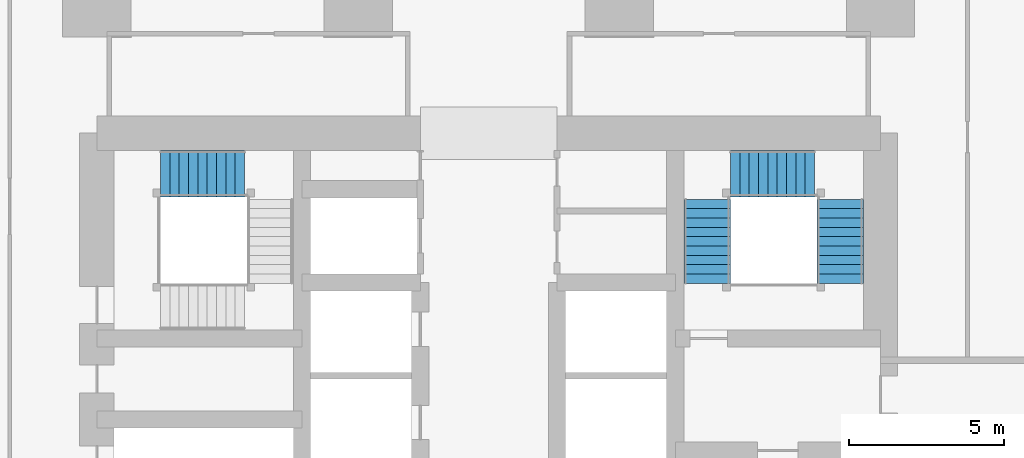
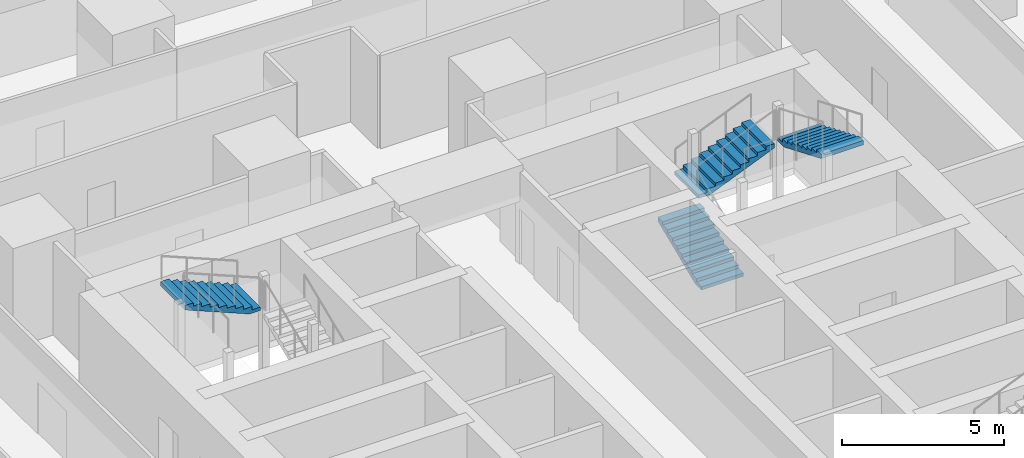
# One storey, part 33 of 42: 4 stair flights, 2 elements without a shape of their own.
"""IFC4 building model written with IfcOpenShell, lengths in metres."""

from ifc_helpers import new_model, si_unit, direction, frame, origin, place, context, subcontext, project, spatial, polyline, outline, extrude, material, type_object, element, aggregate, save


model = new_model("IFC4")

# Units and contexts
model_context = context("Model", 3, precision=1e-05, world=origin(), true_north=direction((0.0, 1.0)))
body_context = subcontext(model_context, "Body", "Model", "MODEL_VIEW")
ifc_project = project(units=[si_unit("LENGTHUNIT", "METRE"), si_unit("AREAUNIT", "SQUARE_METRE"), si_unit("VOLUMEUNIT", "CUBIC_METRE"), si_unit("PLANEANGLEUNIT", "RADIAN"), si_unit("MASSUNIT", "GRAM", prefix="KILO")], contexts=[model_context])

# Site, building, storey
site_placement = place(None, origin())
site = spatial("IfcSite", under=ifc_project, at=site_placement, CompositionType="ELEMENT")
building_placement = place(site_placement, origin())
building = spatial("IfcBuilding", under=site, at=building_placement, Name="Rekha Terrace Tower", CompositionType="ELEMENT")
storey_placement = place(building_placement, frame((0.0, 0.0, 70.39990234375)))
storey = spatial("IfcBuildingStorey", under=building, at=storey_placement, Name="L17", CompositionType="ELEMENT", Elevation=70.39990234375)

# Stair, stair flights
ifc_material = material(Name="Concrete M40", Category="concrete")
stair_type = type_object("IfcStairType", Name="ST30 stair, 30 risers of 125, going 300, 1500 wide flights, 3 flights", PredefinedType="HALF_TURN_STAIR", material=ifc_material)
stair_1_placement = place(storey_placement, origin())
stair_1 = element("IfcStair", 1, at=stair_1_placement, inside=storey, type_object=stair_type, Name="Stair ST2 L17 to L18", PredefinedType="HALF_TURN_STAIR")
stair_flight_type = type_object("IfcStairFlightType", Name="SF10 stair flight, 10 risers of 125, going 300, 1500 wide", PredefinedType="STRAIGHT", material=ifc_material)
stair_flight_1_placement = place(storey_placement, frame((44.824951171875, 41.375, 0.0), z_axis=(0.0, 0.0, 1.0), x_axis=(0.0, 1.0, 0.0)))
stair_flight_1 = element("IfcStairFlight", 2, at=stair_flight_1_placement, type_object=stair_flight_type, Name="ST2 flight 1", NumberOfRisers=10, NumberOfTreads=9, PredefinedType="STRAIGHT", RiserHeight=0.125, TreadLength=0.3, context=body_context, shape_type="SweptSolid", body=[
    extrude(outline(polyline([(0.0, 0.0), (0.0, 0.125), (0.300048828125, 0.125), (0.300048828125, 0.25), (0.60009765625, 0.25), (0.60009765625, 0.375), (0.89990234375, 0.375), (0.89990234375, 0.5), (1.199951171875, 0.5), (1.199951171875, 0.625), (1.5, 0.625), (1.5, 0.75), (1.800048828125, 0.75), (1.800048828125, 0.875), (2.10009765625, 0.875), (2.10009765625, 1.0), (2.39990234375, 1.0), (2.39990234375, 1.125), (2.699951171875, 1.125), (2.699951171875, 1.25), (2.699951171875, 0.962646484375), (0.3896484375, 0.0), (0.0, 0.0)])), frame((0.0, 0.75, 0.0), z_axis=(0.0, -1.0, 0.0), x_axis=(1.0, 0.0, 0.0)), (0.0, 0.0, 1.0), 1.5),
])
stair_flight_2_placement = place(storey_placement, frame((45.574951171875, 44.89990234375, 1.25), z_axis=(0.0, 0.0, 1.0), x_axis=(1.0, 0.0, 0.0)))
stair_flight_2 = element("IfcStairFlight", 3, at=stair_flight_2_placement, type_object=stair_flight_type, Name="ST2 flight 2", NumberOfRisers=10, NumberOfTreads=9, PredefinedType="STRAIGHT", RiserHeight=0.125, TreadLength=0.3, context=body_context, shape_type="SweptSolid", body=[
    extrude(outline(polyline([(0.0, 0.0), (0.0, 0.125), (0.300048828125, 0.125), (0.300048828125, 0.25), (0.60009765625, 0.25), (0.60009765625, 0.375), (0.89990234375, 0.375), (0.89990234375, 0.5), (1.199951171875, 0.5), (1.199951171875, 0.625), (1.5, 0.625), (1.5, 0.75), (1.800048828125, 0.75), (1.800048828125, 0.875), (2.10009765625, 0.875), (2.10009765625, 1.0), (2.39990234375, 1.0), (2.39990234375, 1.125), (2.699951171875, 1.125), (2.699951171875, 1.25), (2.699951171875, 0.962646484375), (0.3896484375, 0.0), (0.0, 0.0)])), frame((0.0, 0.75, 0.0), z_axis=(0.0, -1.0, 0.0), x_axis=(1.0, 0.0, 0.0)), (0.0, 0.0, 1.0), 1.5),
])
stair_flight_3_placement = place(storey_placement, frame((49.10009765625, 44.074951171875, 2.5), z_axis=(0.0, 0.0, 1.0), x_axis=(0.0, -1.0, 0.0)))
stair_flight_3 = element("IfcStairFlight", 4, at=stair_flight_3_placement, type_object=stair_flight_type, Name="ST2 flight 3", NumberOfRisers=10, NumberOfTreads=9, PredefinedType="STRAIGHT", RiserHeight=0.125, TreadLength=0.3, context=body_context, shape_type="SweptSolid", body=[
    extrude(outline(polyline([(0.0, 0.0), (0.0, 0.125), (0.300048828125, 0.125), (0.300048828125, 0.25), (0.60009765625, 0.25), (0.60009765625, 0.375), (0.89990234375, 0.375), (0.89990234375, 0.5), (1.199951171875, 0.5), (1.199951171875, 0.625), (1.5, 0.625), (1.5, 0.75), (1.800048828125, 0.75), (1.800048828125, 0.875), (2.10009765625, 0.875), (2.10009765625, 1.0), (2.39990234375, 1.0), (2.39990234375, 1.125), (2.699951171875, 1.125), (2.699951171875, 1.25), (2.699951171875, 0.962646484375), (0.3896484375, 0.0), (0.0, 0.0)])), frame((0.0, 0.75, 0.0), z_axis=(0.0, -1.0, 0.0), x_axis=(1.0, 0.0, 0.0)), (0.0, 0.0, 1.0), 1.5),
])
aggregate(stair_1, [stair_flight_1, stair_flight_2, stair_flight_3])

# Stair, stair flight
stair_2_placement = place(storey_placement, origin())
stair_2 = element("IfcStair", 5, at=stair_2_placement, inside=storey, type_object=stair_type, Name="Stair ST4 L17 to L18", PredefinedType="HALF_TURN_STAIR")
stair_flight_4_placement = place(storey_placement, frame((29.949951171875, 44.89990234375, 2.5), z_axis=(0.0, 0.0, 1.0), x_axis=(-1.0, 0.0, 0.0)))
stair_flight_4 = element("IfcStairFlight", 6, at=stair_flight_4_placement, type_object=stair_flight_type, Name="ST4 flight 3", NumberOfRisers=10, NumberOfTreads=9, PredefinedType="STRAIGHT", RiserHeight=0.125, TreadLength=0.3, context=body_context, shape_type="SweptSolid", body=[
    extrude(outline(polyline([(0.0, 0.0), (0.0, 0.125), (0.300048828125, 0.125), (0.300048828125, 0.25), (0.60009765625, 0.25), (0.60009765625, 0.375), (0.89990234375, 0.375), (0.89990234375, 0.5), (1.199951171875, 0.5), (1.199951171875, 0.625), (1.5, 0.625), (1.5, 0.75), (1.800048828125, 0.75), (1.800048828125, 0.875), (2.10009765625, 0.875), (2.10009765625, 1.0), (2.39990234375, 1.0), (2.39990234375, 1.125), (2.699951171875, 1.125), (2.699951171875, 1.25), (2.699951171875, 0.962646484375), (0.3896484375, 0.0), (0.0, 0.0)])), frame((0.0, 0.75, 0.0), z_axis=(0.0, -1.0, 0.0), x_axis=(1.0, 0.0, 0.0)), (0.0, 0.0, 1.0), 1.5),
])
aggregate(stair_2, [stair_flight_4])

save(model, "model.ifc")
